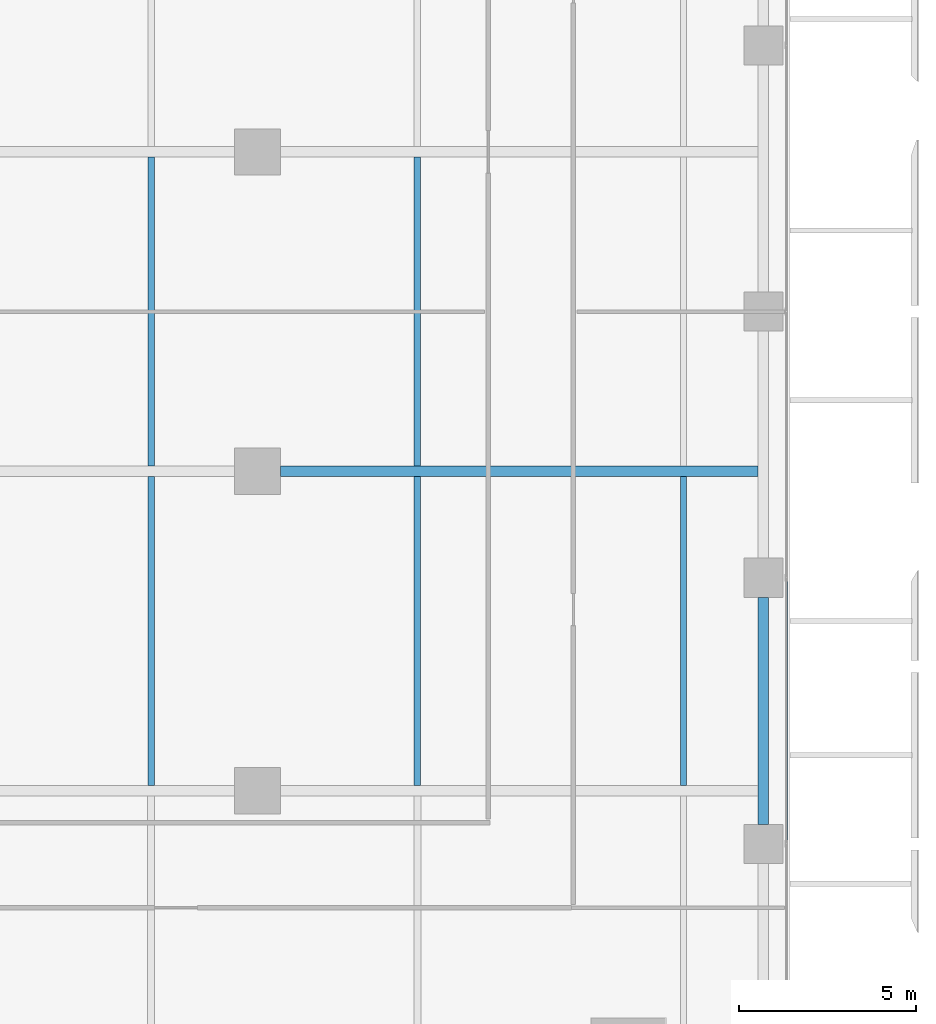
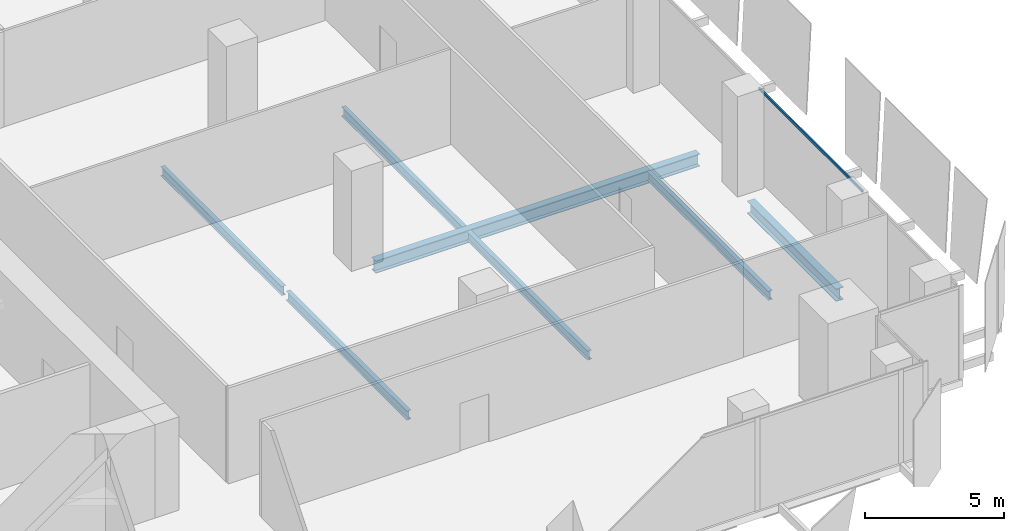
# One storey, part 12 of 34: 7 beams, 1 member, 1 element without a shape of its own.
"""IFC4 building model written with IfcOpenShell, lengths in metres."""

from ifc_helpers import new_model, si_unit, direction, frame, origin, origin_2d, place, context, subcontext, project, spatial, hollow_rectangle, i_section, extrude, source, transform, mapped, material, material_profile, profile_set, type_object, element, aggregate, save


model = new_model("IFC4")

# Units and contexts
model_context = context("Model", 3, precision=1e-05, world=origin(), true_north=direction((0.0, 1.0)))
body_context = subcontext(model_context, "Body", "Model", "MODEL_VIEW")
ifc_project = project(units=[si_unit("LENGTHUNIT", "METRE"), si_unit("AREAUNIT", "SQUARE_METRE"), si_unit("VOLUMEUNIT", "CUBIC_METRE"), si_unit("PLANEANGLEUNIT", "RADIAN"), si_unit("MASSUNIT", "GRAM", prefix="KILO")], contexts=[model_context])

# Site, building, storey
site_placement = place(None, origin())
site = spatial("IfcSite", under=ifc_project, at=site_placement, CompositionType="ELEMENT")
building_placement = place(site_placement, origin())
building = spatial("IfcBuilding", under=site, at=building_placement, Name="Khomas Fold Tower", CompositionType="ELEMENT")
storey_placement = place(building_placement, frame((0.0, 0.0, 154.300048828125)))
storey = spatial("IfcBuildingStorey", under=building, at=storey_placement, Name="L33", CompositionType="ELEMENT", Elevation=154.300048828125)

# Beams
ifc_material_1 = material(Name="Steel S355", Category="steel")
ifc_material_profile_1 = material_profile(ifc_material_1, i_section(OverallWidth=0.179931640625, OverallDepth=0.39990234375, WebThickness=0.008544921875, FlangeThickness=0.013427734375, at=origin_2d()), Name="IPE 400")
ifc_profile_set_1 = profile_set([ifc_material_profile_1], Name="Steel S355")
beam_type_1 = type_object("IfcBeamType", Name="IPE 400 beam JB3", PredefinedType="BEAM", material=ifc_profile_set_1)
shared_shape_1 = source(origin(), body_context, "Body", "SweptSolid", [
    extrude(i_section(OverallWidth=0.179931640625, OverallDepth=0.39990234375, WebThickness=0.008544921875, FlangeThickness=0.013427734375, at=origin_2d()), origin(), (0.0, 0.0, 1.0), 8.7001953125),
])
for number, where, z_axis, x_axis, name in (
    (1, (34.5, 13.64990234375, -0.5), (0.0, 1.0, 0.0), (-1.0, 0.0, 0.0), "JB3"),
    (2, (34.5, 22.64990234375, -0.5), (0.0, 1.0, 0.0), (-1.0, 0.0, 0.0), "JB3"),
    (3, (42.0, 13.64990234375, -0.5), (0.0, 1.0, 0.0), (-1.0, 0.0, 0.0), "JB3"),
    (4, (42.0, 22.64990234375, -0.5), (0.0, 1.0, 0.0), (-1.0, 0.0, 0.0), "JB3"),
    (5, (49.5, 13.64990234375, -0.5), (0.0, 1.0, 0.0), (-1.0, 0.0, 0.0), "JB3"),
):
    element("IfcBeam", number, at=place(storey_placement, frame(where, z_axis=z_axis, x_axis=x_axis)), inside=storey, type_object=beam_type_1, Name=name, PredefinedType="BEAM", context=body_context, shape_type="MappedRepresentation", body=[
        mapped(shared_shape_1, transform((0.0, 0.0, 0.0))),
    ])
ifc_material_2 = material(Name="Steel S355", Category="steel")
ifc_material_profile_2 = material_profile(ifc_material_2, i_section(OverallWidth=0.300048828125, OverallDepth=0.550048828125, WebThickness=0.014892578125, FlangeThickness=0.029052734375, at=origin_2d()), Name="HE 550 B")
ifc_profile_set_2 = profile_set([ifc_material_profile_2], Name="Steel S355")
beam_type_2 = type_object("IfcBeamType", Name="HE 550 B spandrel SB2", PredefinedType="SPANDREL", material=ifc_profile_set_2)
shared_shape_2 = source(origin(), body_context, "Body", "SweptSolid", [
    extrude(i_section(OverallWidth=0.300048828125, OverallDepth=0.550048828125, WebThickness=0.014892578125, FlangeThickness=0.029052734375, at=origin_2d()), origin(), (0.0, 0.0, 1.0), 6.39990234375),
])
beam_1_placement = place(storey_placement, frame((51.75, 12.550048828125, -0.574951171875), z_axis=(0.0, 1.0, 0.0), x_axis=(-1.0, 0.0, 0.0)))
element("IfcBeam", 6, at=beam_1_placement, inside=storey, type_object=beam_type_2, Name="SB2", PredefinedType="SPANDREL", context=body_context, shape_type="MappedRepresentation", body=[
    mapped(shared_shape_2, transform((0.0, 0.0, 0.0))),
])
ifc_material_3 = material(Name="Steel S355", Category="steel")
ifc_material_profile_3 = material_profile(ifc_material_3, i_section(OverallWidth=0.300048828125, OverallDepth=0.550048828125, WebThickness=0.014892578125, FlangeThickness=0.029052734375, at=origin_2d()), Name="HE 550 B")
ifc_profile_set_3 = profile_set([ifc_material_profile_3], Name="Steel S355")
beam_type_3 = type_object("IfcBeamType", Name="HE 550 B beam GB4", PredefinedType="BEAM", material=ifc_profile_set_3)
shared_shape_3 = source(origin(), body_context, "Body", "SweptSolid", [
    extrude(i_section(OverallWidth=0.300048828125, OverallDepth=0.550048828125, WebThickness=0.014892578125, FlangeThickness=0.029052734375, at=origin_2d()), origin(), (0.0, 0.0, 1.0), 13.4501953125),
])
beam_2_placement = place(storey_placement, frame((38.14990234375, 22.5, -0.574951171875), z_axis=(1.0, 0.0, 0.0), x_axis=(0.0, 1.0, 0.0)))
element("IfcBeam", 7, at=beam_2_placement, inside=storey, type_object=beam_type_3, Name="GB4", PredefinedType="BEAM", context=body_context, shape_type="MappedRepresentation", body=[
    mapped(shared_shape_3, transform((0.0, 0.0, 0.0))),
])

# Curtain wall, member
ifc_material_4 = material(Name="Aluminium framed double glazing", Category="aluminium")
curtain_wall_type = type_object("IfcCurtainWallType", Name="SK-Unitised clear-glass wall, growing floors CW1", PredefinedType="NOTDEFINED", material=ifc_material_4)
curtain_wall_placement = place(storey_placement, origin())
curtain_wall = element("IfcCurtainWall", 8, at=curtain_wall_placement, inside=storey, type_object=curtain_wall_type, Name="CW1 run L33 03-0", PredefinedType="NOTDEFINED")
ifc_material_5 = material(Name="Aluminium", Category="aluminium")
ifc_material_profile_4 = material_profile(ifc_material_5, hollow_rectangle(XDim=0.06005859375, YDim=0.1201171875, WallThickness=0.00390625, at=origin_2d()), Name="SK-Unitised clear-glass wall, growing floors transom CW1-T")
ifc_profile_set_4 = profile_set([ifc_material_profile_4], Name="Aluminium")
member_type = type_object("IfcMemberType", Name="SK-Unitised clear-glass wall, growing floors transom CW1-T", PredefinedType="USERDEFINED", material=ifc_profile_set_4)
shared_shape_4 = source(origin(), body_context, "Body", "SweptSolid", [
    extrude(hollow_rectangle(XDim=0.06005859375, YDim=0.1201171875, WallThickness=0.00390625, at=origin_2d()), origin(), (0.0, 0.0, 1.0), 7.43994140625),
])
member_placement = place(storey_placement, frame((52.39990234375, 12.030029296875, 4.0400390625), z_axis=(0.0, 1.0, 0.0), x_axis=(-1.0, 0.0, 0.0)))
member = element("IfcMember", 9, at=member_placement, type_object=member_type, Name="CW1 transom 3", ObjectType="TRANSOM", PredefinedType="USERDEFINED", context=body_context, shape_type="MappedRepresentation", body=[
    mapped(shared_shape_4, transform((0.0, 0.0, 0.0))),
])
aggregate(curtain_wall, [member])

save(model, "model.ifc")
